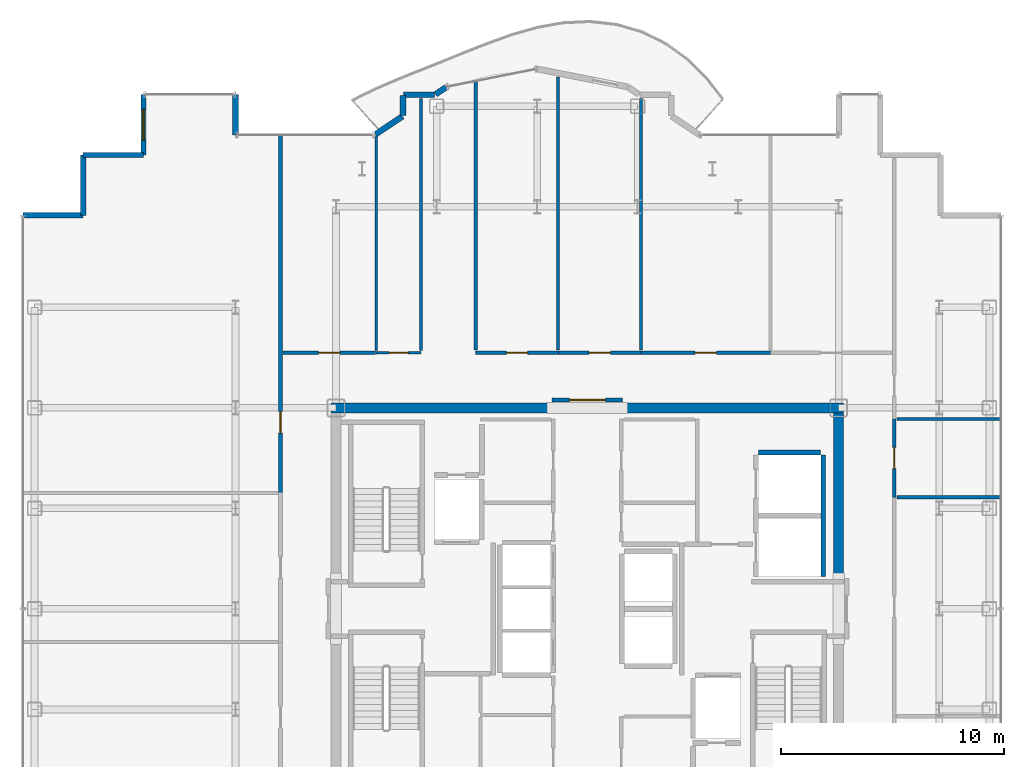
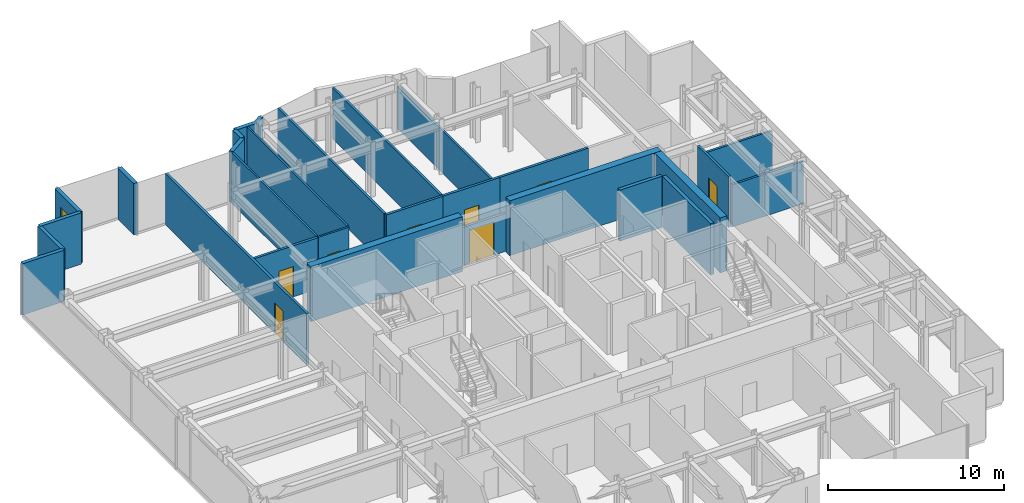
# One storey, part 16 of 18: 29 walls, 8 doors, 1 window, 9 openings.
"""IFC4 building model written with IfcOpenShell, lengths in metres."""

from ifc_helpers import new_model, si_unit, direction, frame, frame_2d, origin, place, context, subcontext, project, spatial, rectangle, extrude, source, transform, mapped, material, layer, layer_set, type_object, element, fill, save


model = new_model("IFC4")

# Units and contexts
model_context = context("Model", 3, precision=1e-05, world=origin(), true_north=direction((0.0, 1.0)))
body_context = subcontext(model_context, "Body", "Model", "MODEL_VIEW")
ifc_project = project(units=[si_unit("LENGTHUNIT", "METRE"), si_unit("AREAUNIT", "SQUARE_METRE"), si_unit("VOLUMEUNIT", "CUBIC_METRE"), si_unit("PLANEANGLEUNIT", "RADIAN"), si_unit("MASSUNIT", "GRAM", prefix="KILO")], contexts=[model_context])

# Site, building, storey
site_placement = place(None, origin())
site = spatial("IfcSite", under=ifc_project, at=site_placement, CompositionType="ELEMENT")
building_placement = place(site_placement, origin())
building = spatial("IfcBuilding", under=site, at=building_placement, Name="Nefas-Gora Pilgrimage Tower", CompositionType="ELEMENT")
storey_placement = place(building_placement, frame((0.0, 0.0, 268.39990234375)))
storey = spatial("IfcBuildingStorey", under=building, at=storey_placement, Name="L67", CompositionType="ELEMENT", Elevation=268.39990234375)

# Walls
ifc_material_1 = material(Name="Concrete C50/60", Category="concrete")
ifc_layer_1 = layer(ifc_material_1, 0.449951171875)
ifc_layer_set_1 = layer_set([ifc_layer_1], Name="Concrete C50/60")
wall_type_1 = type_object("IfcWallType", Name="SW-CORE-450", PredefinedType="SHEAR", material=ifc_layer_set_1)
shared_shape_1 = source(origin(), body_context, "Body", "SweptSolid", [
    extrude(rectangle(XDim=9.925048828125, YDim=0.449951171875, at=frame_2d((4.96240234375, 0.0))), origin(), (0.0, 0.0, 1.0), 3.800048828125),
])
for number, where, z_axis, x_axis, name in (
    (1, (-11.47509765625, 9.0, 0.0), (0.0, 0.0, 1.0), (1.0, 0.0, 0.0), "L67 Core Shear Wall N-West"),
    (2, (1.550048828125, 9.0, 0.0), (0.0, 0.0, 1.0), (1.0, 0.0, 0.0), "L67 Core Shear Wall N-East"),
):
    element("IfcWall", number, at=place(storey_placement, frame(where, z_axis=z_axis, x_axis=x_axis)), inside=storey, type_object=wall_type_1, Name=name, PredefinedType="SHEAR", context=body_context, shape_type="MappedRepresentation", body=[
        mapped(shared_shape_1, transform((0.0, 0.0, 0.0), x_axis=(1.0, 0.0, 0.0), y_axis=(0.0, 1.0, 0.0), z_axis=(0.0, 0.0, 1.0), scale=1.0)),
    ])
shared_shape_2 = source(origin(), body_context, "Body", "SweptSolid", [
    extrude(rectangle(XDim=7.4248046875, YDim=0.449951171875, at=frame_2d((3.71240234375, 0.0))), origin(), (0.0, 0.0, 1.0), 3.800048828125),
])
wall_1_placement = place(storey_placement, frame((11.25, 1.35009765625, 0.0), z_axis=(0.0, 0.0, 1.0), x_axis=(0.0, 1.0, 0.0)))
element("IfcWall", 3, at=wall_1_placement, inside=storey, type_object=wall_type_1, Name="L67 Core Shear Wall E-North", PredefinedType="SHEAR", context=body_context, shape_type="MappedRepresentation", body=[
    mapped(shared_shape_2, transform((0.0, 0.0, 0.0), x_axis=(1.0, 0.0, 0.0), y_axis=(0.0, 1.0, 0.0), z_axis=(0.0, 0.0, 1.0), scale=1.0)),
])
ifc_material_2 = material(Name="Precast concrete C40/50", Category="concrete")
ifc_layer_2 = layer(ifc_material_2, 0.260009765625)
ifc_layer_set_2 = layer_set([ifc_layer_2], Name="Precast concrete C40/50")
wall_type_2 = type_object("IfcWallType", Name="EW-PORTAL-260", PredefinedType="SOLIDWALL", material=ifc_layer_set_2)
shared_shape_3 = source(origin(), body_context, "Body", "SweptSolid", [
    extrude(rectangle(XDim=1.800048828125, YDim=0.260009765625, at=frame_2d((0.89990234375, 0.0))), origin(), (0.0, 0.0, 1.0), 3.550048828125),
])
wall_2_placement = place(storey_placement, frame((-15.75, 21.219970703125, 0.0), z_axis=(0.0, 0.0, 1.0), x_axis=(0.0, 1.0, 0.0)))
element("IfcWall", 4, at=wall_2_placement, inside=storey, type_object=wall_type_2, Name="L67 Lobe Shoulder Precast Spandrel Pier 16", PredefinedType="SOLIDWALL", context=body_context, shape_type="MappedRepresentation", body=[
    mapped(shared_shape_3, transform((0.0, 0.0, 0.0), x_axis=(1.0, 0.0, 0.0), y_axis=(0.0, 1.0, 0.0), z_axis=(0.0, 0.0, 1.0), scale=1.0)),
])

# Wall, opening, window
ifc_material_3 = material(Name="Precast concrete C45/55", Category="concrete")
ifc_layer_3 = layer(ifc_material_3, 0.239990234375)
ifc_layer_set_3 = layer_set([ifc_layer_3], Name="Precast concrete C45/55")
wall_type_3 = type_object("IfcWallType", Name="EW-SERR-240", PredefinedType="SHEAR", material=ifc_layer_set_3)
shared_shape_4 = source(origin(), body_context, "Body", "SweptSolid", [
    extrude(rectangle(XDim=2.699951171875, YDim=0.239990234375, at=frame_2d((1.35009765625, 0.0))), origin(), (0.0, 0.0, 1.0), 3.550048828125),
])
wall_3_placement = place(storey_placement, frame((-19.8701171875, 23.02001953125, 0.0), z_axis=(0.0, 0.0, 1.0), x_axis=(0.0, -1.0, 0.0)))
wall_3 = element("IfcWall", 5, at=wall_3_placement, inside=storey, type_object=wall_type_3, Name="L67 Serrated Corner Shear Pier Wall 17", PredefinedType="SHEAR", context=body_context, shape_type="MappedRepresentation", body=[
    mapped(shared_shape_4, transform((0.0, 0.0, 0.0), x_axis=(1.0, 0.0, 0.0), y_axis=(0.0, 1.0, 0.0), z_axis=(0.0, 0.0, 1.0), scale=1.0)),
])
opening_1_placement = place(wall_3_placement, frame((0.64990234375, 0.0, 0.85009765625)))
opening_1 = element("IfcOpeningElement", 6, at=opening_1_placement, cuts=wall_3, Name="Opening W-V2", PredefinedType="OPENING", context=body_context, shape_type="SweptSolid", body=[
    extrude(rectangle(XDim=1.39990234375, YDim=1.800048828125, at=frame_2d((0.699951171875, 0.89990234375))), frame((0.0, 0.1298828125, 0.0), z_axis=(0.0, -1.0, 0.0), x_axis=(1.0, 0.0, 0.0)), (0.0, 0.0, 1.0), 0.260009765625),
])
ifc_material_4 = material(Name="Dark ceramic-fritted operable aluminium-glass window", Category="aluminium")
window_type = type_object("IfcWindowType", Name="WIN-VENT-1400x1800", PartitioningType="SINGLE_PANEL", PredefinedType="WINDOW", material=ifc_material_4)
shared_shape_5 = source(origin(), body_context, "Body", "SweptSolid", [
    extrude(rectangle(XDim=1.39990234375, YDim=1.800048828125, at=frame_2d((0.699951171875, 0.89990234375))), frame((0.0, 0.030029296875, 0.0), z_axis=(0.0, -1.0, 0.0), x_axis=(1.0, 0.0, 0.0)), (0.0, 0.0, 1.0), 0.06005859375),
])
window_placement = place(opening_1_placement, origin())
window = element("IfcWindow", 7, at=window_placement, inside=storey, type_object=window_type, Name="L67 Operable Parallel-Outswing Window 17", OverallHeight=1.800048828125, OverallWidth=1.39990234375, PartitioningType="SINGLE_PANEL", PredefinedType="WINDOW", context=body_context, shape_type="MappedRepresentation", body=[
    mapped(shared_shape_5, transform((0.0, 0.0, 0.0), x_axis=(1.0, 0.0, 0.0), y_axis=(0.0, 1.0, 0.0), z_axis=(0.0, 0.0, 1.0), scale=1.0)),
])
fill(opening_1, window)

# Walls
for number, where, z_axis, x_axis, name in (
    (8, (-19.8701171875, 20.320068359375, 0.0), (0.0, 0.0, 1.0), (-1.0, 0.0, 0.0), "L67 Serrated Corner Shear Pier Wall 18"),
    (9, (-22.570068359375, 20.320068359375, 0.0), (0.0, 0.0, 1.0), (0.0, -1.0, 0.0), "L67 Serrated Corner Shear Pier Wall 19"),
    (10, (-22.570068359375, 17.6201171875, 0.0), (0.0, 0.0, 1.0), (-1.0, 0.0, 0.0), "L67 Serrated Corner Shear Pier Wall 20"),
):
    element("IfcWall", number, at=place(storey_placement, frame(where, z_axis=z_axis, x_axis=x_axis)), inside=storey, type_object=wall_type_3, Name=name, PredefinedType="SHEAR", context=body_context, shape_type="MappedRepresentation", body=[
        mapped(shared_shape_4, transform((0.0, 0.0, 0.0), x_axis=(1.0, 0.0, 0.0), y_axis=(0.0, 1.0, 0.0), z_axis=(0.0, 0.0, 1.0), scale=1.0)),
    ])
shared_shape_6 = source(origin(), body_context, "Body", "SweptSolid", [
    extrude(rectangle(XDim=1.468994140625, YDim=0.260009765625, at=frame_2d((0.734375, 0.0))), origin(), (0.0, 0.0, 1.0), 3.550048828125),
])
wall_4_placement = place(storey_placement, frame((-8.273193359375, 22.0517578125, 0.0), z_axis=(0.0, 0.0, 1.0), x_axis=(-0.831461760506, -0.555581983884, 0.0)))
element("IfcWall", 11, at=wall_4_placement, inside=storey, type_object=wall_type_2, Name="L67 Lobe Shoulder Precast Spandrel Pier 15", PredefinedType="SOLIDWALL", context=body_context, shape_type="MappedRepresentation", body=[
    mapped(shared_shape_6, transform((0.0, 0.0, 0.0), x_axis=(1.0, 0.0, 0.0), y_axis=(0.0, 1.0, 0.0), z_axis=(0.0, 0.0, 1.0), scale=1.0)),
])
shared_shape_7 = source(origin(), body_context, "Body", "SweptSolid", [
    extrude(rectangle(XDim=0.896728515625, YDim=0.260009765625, at=frame_2d((0.4482421875, 0.0))), origin(), (0.0, 0.0, 1.0), 3.550048828125),
])
wall_5_placement = place(storey_placement, frame((-8.25, 22.991943359375, 0.0), z_axis=(0.0, 0.0, 1.0), x_axis=(0.0, -1.0, 0.0)))
element("IfcWall", 12, at=wall_5_placement, inside=storey, type_object=wall_type_2, Name="L67 Lobe Shoulder Precast Spandrel Pier 14", PredefinedType="SOLIDWALL", context=body_context, shape_type="MappedRepresentation", body=[
    mapped(shared_shape_7, transform((0.0, 0.0, 0.0), x_axis=(1.0, 0.0, 0.0), y_axis=(0.0, 1.0, 0.0), z_axis=(0.0, 0.0, 1.0), scale=1.0)),
])
shared_shape_8 = source(origin(), body_context, "Body", "SweptSolid", [
    extrude(rectangle(XDim=1.369873046875, YDim=0.260009765625, at=frame_2d((0.68505859375, 0.0))), origin(), (0.0, 0.0, 1.0), 3.550048828125),
])
wall_6_placement = place(storey_placement, frame((-6.85205078125, 23.02001953125, 0.0), z_axis=(0.0, 0.0, 1.0), x_axis=(-1.0, 0.0, 0.0)))
element("IfcWall", 13, at=wall_6_placement, inside=storey, type_object=wall_type_2, Name="L67 Lobe Shoulder Precast Spandrel Pier 13", PredefinedType="SOLIDWALL", context=body_context, shape_type="MappedRepresentation", body=[
    mapped(shared_shape_8, transform((0.0, 0.0, 0.0), x_axis=(1.0, 0.0, 0.0), y_axis=(0.0, 1.0, 0.0), z_axis=(0.0, 0.0, 1.0), scale=1.0)),
])
shared_shape_9 = source(origin(), body_context, "Body", "SweptSolid", [
    extrude(rectangle(XDim=0.5654296875, YDim=0.260009765625, at=frame_2d((0.28271484375, 0.0))), origin(), (0.0, 0.0, 1.0), 3.550048828125),
])
wall_7_placement = place(storey_placement, frame((-6.33056640625, 23.349609375, 0.0), z_axis=(0.0, 0.0, 1.0), x_axis=(-0.831651492666, -0.555297933317, 0.0)))
element("IfcWall", 14, at=wall_7_placement, inside=storey, type_object=wall_type_2, Name="L67 Lobe Shoulder Precast Spandrel Pier 12", PredefinedType="SOLIDWALL", context=body_context, shape_type="MappedRepresentation", body=[
    mapped(shared_shape_9, transform((0.0, 0.0, 0.0), x_axis=(1.0, 0.0, 0.0), y_axis=(0.0, 1.0, 0.0), z_axis=(0.0, 0.0, 1.0), scale=1.0)),
])
ifc_material_5 = material(Name="Concrete C40/50", Category="concrete")
ifc_layer_4 = layer(ifc_material_5, 0.219970703125)
ifc_layer_set_4 = layer_set([ifc_layer_4], Name="Concrete C40/50")
wall_type_4 = type_object("IfcWallType", Name="IW-SHAFT-220", PredefinedType="SOLIDWALL", material=ifc_layer_set_4)
shared_shape_10 = source(origin(), body_context, "Body", "SweptSolid", [
    extrude(rectangle(XDim=5.449951171875, YDim=0.219970703125, at=frame_2d((2.72509765625, 0.0))), origin(), (0.0, 0.0, 1.0), 3.53515625),
])
wall_8_placement = place(storey_placement, frame((10.56005859375, 1.449951171875, 0.0), z_axis=(0.0, 0.0, 1.0), x_axis=(0.0, 1.0, 0.0)))
element("IfcWall", 15, at=wall_8_placement, inside=storey, type_object=wall_type_4, Name="L67 Hoistway Wall SL-01-02-E", PredefinedType="SOLIDWALL", context=body_context, shape_type="MappedRepresentation", body=[
    mapped(shared_shape_10, transform((0.0, 0.0, 0.0), x_axis=(1.0, 0.0, 0.0), y_axis=(0.0, 1.0, 0.0), z_axis=(0.0, 0.0, 1.0), scale=1.0)),
])
shared_shape_11 = source(origin(), body_context, "Body", "SweptSolid", [
    extrude(rectangle(XDim=2.780029296875, YDim=0.219970703125, at=frame_2d((1.39013671875, 0.0))), origin(), (0.0, 0.0, 1.0), 3.53515625),
])
wall_9_placement = place(storey_placement, frame((10.43994140625, 7.010009765625, 0.0), z_axis=(0.0, 0.0, 1.0), x_axis=(-1.0, 0.0, 0.0)))
element("IfcWall", 16, at=wall_9_placement, inside=storey, type_object=wall_type_4, Name="L67 Hoistway Wall SL-02-N", PredefinedType="SOLIDWALL", context=body_context, shape_type="MappedRepresentation", body=[
    mapped(shared_shape_11, transform((0.0, 0.0, 0.0), x_axis=(1.0, 0.0, 0.0), y_axis=(0.0, 1.0, 0.0), z_axis=(0.0, 0.0, 1.0), scale=1.0)),
])

# Wall, opening, door
ifc_material_6 = material(Name="Moisture-resistant fire-rated gypsum partition")
ifc_layer_5 = layer(ifc_material_6, 0.1201171875)
ifc_layer_set_5 = layer_set([ifc_layer_5], Name="Moisture-resistant fire-rated gypsum partition")
wall_type_5 = type_object("IfcWallType", Name="IW-WET-120", PredefinedType="PLUMBINGWALL", material=ifc_layer_set_5)
shared_shape_12 = source(origin(), body_context, "Body", "SweptSolid", [
    extrude(rectangle(XDim=2.02001953125, YDim=0.1201171875, at=frame_2d((1.010009765625, 0.0))), origin(), (0.0, 0.0, 1.0), 3.53515625),
])
wall_10_placement = place(storey_placement, frame((-9.4599609375, 11.469970703125, 0.0), z_axis=(0.0, 0.0, 1.0), x_axis=(1.0, 0.0, 0.0)))
wall_10 = element("IfcWall", 17, at=wall_10_placement, inside=storey, type_object=wall_type_5, Name="L67 Accessible Unisex WC Partition Wall 36", PredefinedType="PLUMBINGWALL", context=body_context, shape_type="MappedRepresentation", body=[
    mapped(shared_shape_12, transform((0.0, 0.0, 0.0), x_axis=(1.0, 0.0, 0.0), y_axis=(0.0, 1.0, 0.0), z_axis=(0.0, 0.0, 1.0), scale=1.0)),
])
opening_2_placement = place(wall_10_placement, frame((0.5849609375, 0.0, 0.0)))
opening_2 = element("IfcOpeningElement", 18, at=opening_2_placement, cuts=wall_10, Name="Opening ID-BT1", PredefinedType="OPENING", context=body_context, shape_type="SweptSolid", body=[
    extrude(rectangle(XDim=0.85009765625, YDim=2.10009765625, at=frame_2d((0.425048828125, 1.050048828125))), frame((0.0, 0.070068359375, 0.0), z_axis=(0.0, -1.0, 0.0), x_axis=(1.0, 0.0, 0.0)), (0.0, 0.0, 1.0), 0.14013671875),
])
ifc_material_7 = material(Name="Moisture-resistant fire-rated timber door", Category="wood")
door_type_1 = type_object("IfcDoorType", Name="DR-INT-BATH-850", OperationType="NOTDEFINED", PredefinedType="DOOR", material=ifc_material_7)
shared_shape_13 = source(origin(), body_context, "Body", "SweptSolid", [
    extrude(rectangle(XDim=0.85009765625, YDim=2.10009765625, at=frame_2d((0.425048828125, 1.050048828125))), frame((0.0, 0.02490234375, 0.0), z_axis=(0.0, -1.0, 0.0), x_axis=(1.0, 0.0, 0.0)), (0.0, 0.0, 1.0), 0.050048828125),
])
door_1_placement = place(opening_2_placement, origin())
door_1 = element("IfcDoor", 19, at=door_1_placement, inside=storey, type_object=door_type_1, Name="L67 Accessible Unisex WC Door 15", OperationType="SINGLE_SWING_LEFT", OverallHeight=2.10009765625, OverallWidth=0.85009765625, PredefinedType="DOOR", context=body_context, shape_type="MappedRepresentation", body=[
    mapped(shared_shape_13, transform((0.0, 0.0, 0.0), x_axis=(1.0, 0.0, 0.0), y_axis=(0.0, 1.0, 0.0), z_axis=(0.0, 0.0, 1.0), scale=1.0)),
])
fill(opening_2, door_1)

# Walls
shared_shape_14 = source(origin(), body_context, "Body", "SweptSolid", [
    extrude(rectangle(XDim=11.280029296875, YDim=0.1201171875, at=frame_2d((5.64013671875, 0.0))), origin(), (0.0, 0.0, 1.0), 3.53515625),
])
wall_11_placement = place(storey_placement, frame((-7.449951171875, 11.570068359375, 0.0), z_axis=(0.0, 0.0, 1.0), x_axis=(0.0, 1.0, 0.0)))
element("IfcWall", 20, at=wall_11_placement, inside=storey, type_object=wall_type_5, Name="L67 Accessible Unisex WC Partition Wall 37", PredefinedType="PLUMBINGWALL", context=body_context, shape_type="MappedRepresentation", body=[
    mapped(shared_shape_14, transform((0.0, 0.0, 0.0), x_axis=(1.0, 0.0, 0.0), y_axis=(0.0, 1.0, 0.0), z_axis=(0.0, 0.0, 1.0), scale=1.0)),
])
shared_shape_15 = source(origin(), body_context, "Body", "SweptSolid", [
    extrude(rectangle(XDim=9.586669921875, YDim=0.1201171875, at=frame_2d((4.79345703125, 0.0))), origin(), (0.0, 0.0, 1.0), 3.53515625),
])
wall_12_placement = place(storey_placement, frame((-9.449951171875, 11.570068359375, 0.0), z_axis=(0.0, 0.0, 1.0), x_axis=(0.0, 1.0, 0.0)))
element("IfcWall", 21, at=wall_12_placement, inside=storey, type_object=wall_type_5, Name="L67 Accessible Unisex WC Partition Wall 38", PredefinedType="PLUMBINGWALL", context=body_context, shape_type="MappedRepresentation", body=[
    mapped(shared_shape_15, transform((0.0, 0.0, 0.0), x_axis=(1.0, 0.0, 0.0), y_axis=(0.0, 1.0, 0.0), z_axis=(0.0, 0.0, 1.0), scale=1.0)),
])

# Wall, opening, door
ifc_material_8 = material(Name="Gypsum acoustic stud partition")
ifc_layer_6 = layer(ifc_material_8, 0.159912109375)
ifc_layer_set_6 = layer_set([ifc_layer_6], Name="Gypsum acoustic stud partition")
wall_type_6 = type_object("IfcWallType", Name="IW-CORR-160", PredefinedType="PARTITIONING", material=ifc_layer_set_6)
shared_shape_16 = source(origin(), body_context, "Body", "SweptSolid", [
    extrude(rectangle(XDim=4.125, YDim=0.159912109375, at=frame_2d((2.0625, 0.0))), origin(), (0.0, 0.0, 1.0), 3.53515625),
])
wall_13_placement = place(storey_placement, frame((-13.6201171875, 11.469970703125, 0.0), z_axis=(0.0, 0.0, 1.0), x_axis=(1.0, 0.0, 0.0)))
wall_13 = element("IfcWall", 22, at=wall_13_placement, inside=storey, type_object=wall_type_6, Name="L67 Pilgrim Contemplative Lounge Partition Wall 55", PredefinedType="PARTITIONING", context=body_context, shape_type="MappedRepresentation", body=[
    mapped(shared_shape_16, transform((0.0, 0.0, 0.0), x_axis=(1.0, 0.0, 0.0), y_axis=(0.0, 1.0, 0.0), z_axis=(0.0, 0.0, 1.0), scale=1.0)),
])
opening_3_placement = place(wall_13_placement, frame((1.58740234375, 0.0, 0.0)))
opening_3 = element("IfcOpeningElement", 23, at=opening_3_placement, cuts=wall_13, Name="Opening ID-GR1", PredefinedType="OPENING", context=body_context, shape_type="SweptSolid", body=[
    extrude(rectangle(XDim=0.949951171875, YDim=2.10009765625, at=frame_2d((0.47509765625, 1.050048828125))), frame((0.0, 0.08984375, 0.0), z_axis=(0.0, -1.0, 0.0), x_axis=(1.0, 0.0, 0.0)), (0.0, 0.0, 1.0), 0.179931640625),
])
ifc_material_9 = material(Name="Solid core oak fire-rated guest entrance door")
door_type_2 = type_object("IfcDoorType", Name="DR-INT-GUEST-950", OperationType="NOTDEFINED", PredefinedType="DOOR", material=ifc_material_9)
shared_shape_17 = source(origin(), body_context, "Body", "SweptSolid", [
    extrude(rectangle(XDim=0.949951171875, YDim=2.10009765625, at=frame_2d((0.47509765625, 1.050048828125))), frame((0.0, 0.02490234375, 0.0), z_axis=(0.0, -1.0, 0.0), x_axis=(1.0, 0.0, 0.0)), (0.0, 0.0, 1.0), 0.050048828125),
])
door_2_placement = place(opening_3_placement, origin())
door_2 = element("IfcDoor", 24, at=door_2_placement, inside=storey, type_object=door_type_2, Name="L67 Pilgrim Contemplative Lounge Door 25", OperationType="SINGLE_SWING_LEFT", OverallHeight=2.10009765625, OverallWidth=0.949951171875, PredefinedType="DOOR", context=body_context, shape_type="MappedRepresentation", body=[
    mapped(shared_shape_17, transform((0.0, 0.0, 0.0), x_axis=(1.0, 0.0, 0.0), y_axis=(0.0, 1.0, 0.0), z_axis=(0.0, 0.0, 1.0), scale=1.0)),
])
fill(opening_3, door_2)

shared_shape_18 = source(origin(), body_context, "Body", "SweptSolid", [
    extrude(rectangle(XDim=3.704833984375, YDim=0.159912109375, at=frame_2d((1.8525390625, 0.0))), origin(), (0.0, 0.0, 1.0), 3.53515625),
])
wall_14_placement = place(storey_placement, frame((-5.0048828125, 11.469970703125, 0.0), z_axis=(0.0, 0.0, 1.0), x_axis=(1.0, 0.0, 0.0)))
wall_14 = element("IfcWall", 25, at=wall_14_placement, inside=storey, type_object=wall_type_6, Name="L67 Pilgrim Contemplative Lounge Partition Wall 56", PredefinedType="PARTITIONING", context=body_context, shape_type="MappedRepresentation", body=[
    mapped(shared_shape_18, transform((0.0, 0.0, 0.0), x_axis=(1.0, 0.0, 0.0), y_axis=(0.0, 1.0, 0.0), z_axis=(0.0, 0.0, 1.0), scale=1.0)),
])
opening_4_placement = place(wall_14_placement, frame((1.37744140625, 0.0, 0.0)))
opening_4 = element("IfcOpeningElement", 26, at=opening_4_placement, cuts=wall_14, Name="Opening ID-GR1", PredefinedType="OPENING", context=body_context, shape_type="SweptSolid", body=[
    extrude(rectangle(XDim=0.949951171875, YDim=2.10009765625, at=frame_2d((0.47509765625, 1.050048828125))), frame((0.0, 0.08984375, 0.0), z_axis=(0.0, -1.0, 0.0), x_axis=(1.0, 0.0, 0.0)), (0.0, 0.0, 1.0), 0.179931640625),
])
door_3_placement = place(opening_4_placement, origin())
door_3 = element("IfcDoor", 27, at=door_3_placement, inside=storey, type_object=door_type_2, Name="L67 Pilgrim Contemplative Lounge Door 26", OperationType="SINGLE_SWING_RIGHT", OverallHeight=2.10009765625, OverallWidth=0.949951171875, PredefinedType="DOOR", context=body_context, shape_type="MappedRepresentation", body=[
    mapped(shared_shape_17, transform((0.0, 0.0, 0.0), x_axis=(1.0, 0.0, 0.0), y_axis=(0.0, 1.0, 0.0), z_axis=(0.0, 0.0, 1.0), scale=1.0)),
])
fill(opening_4, door_3)

shared_shape_19 = source(origin(), body_context, "Body", "SweptSolid", [
    extrude(rectangle(XDim=3.705078125, YDim=0.159912109375, at=frame_2d((1.8525390625, 0.0))), origin(), (0.0, 0.0, 1.0), 3.53515625),
])
wall_15_placement = place(storey_placement, frame((-1.300048828125, 11.469970703125, 0.0), z_axis=(0.0, 0.0, 1.0), x_axis=(1.0, 0.0, 0.0)))
wall_15 = element("IfcWall", 28, at=wall_15_placement, inside=storey, type_object=wall_type_6, Name="L67 Pilgrim Contemplative Lounge Partition Wall 59", PredefinedType="PARTITIONING", context=body_context, shape_type="MappedRepresentation", body=[
    mapped(shared_shape_19, transform((0.0, 0.0, 0.0), x_axis=(1.0, 0.0, 0.0), y_axis=(0.0, 1.0, 0.0), z_axis=(0.0, 0.0, 1.0), scale=1.0)),
])
opening_5_placement = place(wall_15_placement, frame((1.37744140625, 0.0, 0.0)))
opening_5 = element("IfcOpeningElement", 29, at=opening_5_placement, cuts=wall_15, Name="Opening ID-GR1", PredefinedType="OPENING", context=body_context, shape_type="SweptSolid", body=[
    extrude(rectangle(XDim=0.949951171875, YDim=2.10009765625, at=frame_2d((0.47509765625, 1.050048828125))), frame((0.0, 0.08984375, 0.0), z_axis=(0.0, -1.0, 0.0), x_axis=(1.0, 0.0, 0.0)), (0.0, 0.0, 1.0), 0.179931640625),
])
door_4_placement = place(opening_5_placement, origin())
door_4 = element("IfcDoor", 30, at=door_4_placement, inside=storey, type_object=door_type_2, Name="L67 Pilgrim Contemplative Lounge Door 27", OperationType="SINGLE_SWING_LEFT", OverallHeight=2.10009765625, OverallWidth=0.949951171875, PredefinedType="DOOR", context=body_context, shape_type="MappedRepresentation", body=[
    mapped(shared_shape_17, transform((0.0, 0.0, 0.0), x_axis=(1.0, 0.0, 0.0), y_axis=(0.0, 1.0, 0.0), z_axis=(0.0, 0.0, 1.0), scale=1.0)),
])
fill(opening_5, door_4)

# Wall
ifc_material_10 = material(Name="Gypsum twin-stud partition")
ifc_layer_7 = layer(ifc_material_10, 0.139892578125)
ifc_layer_set_7 = layer_set([ifc_layer_7], Name="Gypsum twin-stud partition")
wall_type_7 = type_object("IfcWallType", Name="IW-UNIT-140", PredefinedType="PARTITIONING", material=ifc_layer_set_7)
shared_shape_20 = source(origin(), body_context, "Body", "SweptSolid", [
    extrude(rectangle(XDim=12.056640625, YDim=0.139892578125, at=frame_2d((6.0283203125, 0.0))), origin(), (0.0, 0.0, 1.0), 3.53515625),
])
wall_16_placement = place(storey_placement, frame((-4.9951171875, 11.590087890625, 0.0), z_axis=(0.0, 0.0, 1.0), x_axis=(0.0, 1.0, 0.0)))
element("IfcWall", 31, at=wall_16_placement, inside=storey, type_object=wall_type_7, Name="L67 Pilgrim Contemplative Lounge Partition Wall 58", PredefinedType="PARTITIONING", context=body_context, shape_type="MappedRepresentation", body=[
    mapped(shared_shape_20, transform((0.0, 0.0, 0.0), x_axis=(1.0, 0.0, 0.0), y_axis=(0.0, 1.0, 0.0), z_axis=(0.0, 0.0, 1.0), scale=1.0)),
])

# Wall, opening, door
shared_shape_21 = source(origin(), body_context, "Body", "SweptSolid", [
    extrude(rectangle(XDim=16.044921875, YDim=0.159912109375, at=frame_2d((8.0224609375, 0.0))), origin(), (0.0, 0.0, 1.0), 3.53515625),
])
wall_17_placement = place(storey_placement, frame((-13.739990234375, 5.195068359375, 0.0), z_axis=(0.0, 0.0, 1.0), x_axis=(0.0, 1.0, 0.0)))
wall_17 = element("IfcWall", 32, at=wall_17_placement, inside=storey, type_object=wall_type_6, Name="L67 Pilgrim Contemplative Lounge Partition Wall 45", PredefinedType="PARTITIONING", context=body_context, shape_type="MappedRepresentation", body=[
    mapped(shared_shape_21, transform((0.0, 0.0, 0.0), x_axis=(1.0, 0.0, 0.0), y_axis=(0.0, 1.0, 0.0), z_axis=(0.0, 0.0, 1.0), scale=1.0)),
])
opening_6_placement = place(wall_17_placement, frame((2.6826171875, 0.0, 0.0)))
opening_6 = element("IfcOpeningElement", 33, at=opening_6_placement, cuts=wall_17, Name="Opening ID-GR1", PredefinedType="OPENING", context=body_context, shape_type="SweptSolid", body=[
    extrude(rectangle(XDim=0.949951171875, YDim=2.10009765625, at=frame_2d((0.47509765625, 1.050048828125))), frame((0.0, 0.08984375, 0.0), z_axis=(0.0, -1.0, 0.0), x_axis=(1.0, 0.0, 0.0)), (0.0, 0.0, 1.0), 0.179931640625),
])
door_5_placement = place(opening_6_placement, origin())
door_5 = element("IfcDoor", 34, at=door_5_placement, inside=storey, type_object=door_type_2, Name="L67 Pilgrim Contemplative Lounge Door 19", OperationType="SINGLE_SWING_LEFT", OverallHeight=2.10009765625, OverallWidth=0.949951171875, PredefinedType="DOOR", context=body_context, shape_type="MappedRepresentation", body=[
    mapped(shared_shape_17, transform((0.0, 0.0, 0.0), x_axis=(1.0, 0.0, 0.0), y_axis=(0.0, 1.0, 0.0), z_axis=(0.0, 0.0, 1.0), scale=1.0)),
])
fill(opening_6, door_5)

shared_shape_22 = source(origin(), body_context, "Body", "SweptSolid", [
    extrude(rectangle(XDim=3.509765625, YDim=0.159912109375, at=frame_2d((1.7548828125, 0.0))), origin(), (0.0, 0.0, 1.0), 3.53515625),
])
wall_18_placement = place(storey_placement, frame((13.739990234375, 4.9951171875, 0.0), z_axis=(0.0, 0.0, 1.0), x_axis=(0.0, 1.0, 0.0)))
wall_18 = element("IfcWall", 35, at=wall_18_placement, inside=storey, type_object=wall_type_6, Name="L67 Scripture Reading Study Partition Wall 52", PredefinedType="PARTITIONING", context=body_context, shape_type="MappedRepresentation", body=[
    mapped(shared_shape_22, transform((0.0, 0.0, 0.0), x_axis=(1.0, 0.0, 0.0), y_axis=(0.0, 1.0, 0.0), z_axis=(0.0, 0.0, 1.0), scale=1.0)),
])
opening_7_placement = place(wall_18_placement, frame((1.280029296875, 0.0, 0.0)))
opening_7 = element("IfcOpeningElement", 36, at=opening_7_placement, cuts=wall_18, Name="Opening ID-GR1", PredefinedType="OPENING", context=body_context, shape_type="SweptSolid", body=[
    extrude(rectangle(XDim=0.949951171875, YDim=2.10009765625, at=frame_2d((0.47509765625, 1.050048828125))), frame((0.0, 0.08984375, 0.0), z_axis=(0.0, -1.0, 0.0), x_axis=(1.0, 0.0, 0.0)), (0.0, 0.0, 1.0), 0.179931640625),
])
door_6_placement = place(opening_7_placement, origin())
door_6 = element("IfcDoor", 37, at=door_6_placement, inside=storey, type_object=door_type_2, Name="L67 Scripture Reading Study Door 23", OperationType="SINGLE_SWING_LEFT", OverallHeight=2.10009765625, OverallWidth=0.949951171875, PredefinedType="DOOR", context=body_context, shape_type="MappedRepresentation", body=[
    mapped(shared_shape_17, transform((0.0, 0.0, 0.0), x_axis=(1.0, 0.0, 0.0), y_axis=(0.0, 1.0, 0.0), z_axis=(0.0, 0.0, 1.0), scale=1.0)),
])
fill(opening_7, door_6)

shared_shape_23 = source(origin(), body_context, "Body", "SweptSolid", [
    extrude(rectangle(XDim=5.81005859375, YDim=0.159912109375, at=frame_2d((2.905029296875, 0.0))), origin(), (0.0, 0.0, 1.0), 3.53515625),
])
wall_19_placement = place(storey_placement, frame((2.39501953125, 11.469970703125, 0.0), z_axis=(0.0, 0.0, 1.0), x_axis=(1.0, 0.0, 0.0)))
wall_19 = element("IfcWall", 38, at=wall_19_placement, inside=storey, type_object=wall_type_6, Name="L67 Pilgrim Contemplative Lounge Partition Wall 61", PredefinedType="PARTITIONING", context=body_context, shape_type="MappedRepresentation", body=[
    mapped(shared_shape_23, transform((0.0, 0.0, 0.0), x_axis=(1.0, 0.0, 0.0), y_axis=(0.0, 1.0, 0.0), z_axis=(0.0, 0.0, 1.0), scale=1.0)),
])
opening_8_placement = place(wall_19_placement, frame((2.429931640625, 0.0, 0.0)))
opening_8 = element("IfcOpeningElement", 39, at=opening_8_placement, cuts=wall_19, Name="Opening ID-GR1", PredefinedType="OPENING", context=body_context, shape_type="SweptSolid", body=[
    extrude(rectangle(XDim=0.949951171875, YDim=2.10009765625, at=frame_2d((0.47509765625, 1.050048828125))), frame((0.0, 0.08984375, 0.0), z_axis=(0.0, -1.0, 0.0), x_axis=(1.0, 0.0, 0.0)), (0.0, 0.0, 1.0), 0.179931640625),
])
door_7_placement = place(opening_8_placement, origin())
door_7 = element("IfcDoor", 40, at=door_7_placement, inside=storey, type_object=door_type_2, Name="L67 Pilgrim Contemplative Lounge Door 28", OperationType="SINGLE_SWING_RIGHT", OverallHeight=2.10009765625, OverallWidth=0.949951171875, PredefinedType="DOOR", context=body_context, shape_type="MappedRepresentation", body=[
    mapped(shared_shape_17, transform((0.0, 0.0, 0.0), x_axis=(1.0, 0.0, 0.0), y_axis=(0.0, 1.0, 0.0), z_axis=(0.0, 0.0, 1.0), scale=1.0)),
])
fill(opening_8, door_7)

shared_shape_24 = source(origin(), body_context, "Body", "SweptSolid", [
    extrude(rectangle(XDim=3.16015625, YDim=0.159912109375, at=frame_2d((1.580078125, 0.0))), origin(), (0.0, 0.0, 1.0), 2.625),
])
wall_20_placement = place(storey_placement, frame((-1.580078125, 9.35009765625, 0.0), z_axis=(0.0, 0.0, 1.0), x_axis=(1.0, 0.0, 0.0)))
wall_20 = element("IfcWall", 41, at=wall_20_placement, inside=storey, type_object=wall_type_6, Name="L67 Central Lift Lobby North Portal Wall 16", PredefinedType="PARTITIONING", context=body_context, shape_type="MappedRepresentation", body=[
    mapped(shared_shape_24, transform((0.0, 0.0, 0.0), x_axis=(1.0, 0.0, 0.0), y_axis=(0.0, 1.0, 0.0), z_axis=(0.0, 0.0, 1.0), scale=1.0)),
])
opening_9_placement = place(wall_20_placement, frame((0.780029296875, 0.0, 0.0)))
opening_9 = element("IfcOpeningElement", 42, at=opening_9_placement, cuts=wall_20, Name="Opening ID-HL1", PredefinedType="OPENING", context=body_context, shape_type="SweptSolid", body=[
    extrude(rectangle(XDim=1.60009765625, YDim=2.300048828125, at=frame_2d((0.800048828125, 1.14990234375))), frame((0.0, 0.08984375, 0.0), z_axis=(0.0, -1.0, 0.0), x_axis=(1.0, 0.0, 0.0)), (0.0, 0.0, 1.0), 0.179931640625),
])
ifc_material_11 = material(Name="Double acoustic timber assembly hall door", Category="wood")
door_type_3 = type_object("IfcDoorType", Name="DR-INT-HALL-1600", OperationType="DOUBLE_DOOR_SINGLE_SWING", PredefinedType="DOOR", material=ifc_material_11)
shared_shape_25 = source(origin(), body_context, "Body", "SweptSolid", [
    extrude(rectangle(XDim=1.60009765625, YDim=2.300048828125, at=frame_2d((0.800048828125, 1.14990234375))), frame((0.0, 0.02490234375, 0.0), z_axis=(0.0, -1.0, 0.0), x_axis=(1.0, 0.0, 0.0)), (0.0, 0.0, 1.0), 0.050048828125),
])
door_8_placement = place(opening_9_placement, origin())
door_8 = element("IfcDoor", 43, at=door_8_placement, inside=storey, type_object=door_type_3, Name="L67 Central Lift Lobby North Portal Door 6", OperationType="DOUBLE_DOOR_SINGLE_SWING", OverallHeight=2.300048828125, OverallWidth=1.60009765625, PredefinedType="DOOR", context=body_context, shape_type="MappedRepresentation", body=[
    mapped(shared_shape_25, transform((0.0, 0.0, 0.0), x_axis=(1.0, 0.0, 0.0), y_axis=(0.0, 1.0, 0.0), z_axis=(0.0, 0.0, 1.0), scale=1.0)),
])
fill(opening_9, door_8)

# Walls
shared_shape_26 = source(origin(), body_context, "Body", "SweptSolid", [
    extrude(rectangle(XDim=4.679931640625, YDim=0.139892578125, at=frame_2d((2.33984375, 0.0))), origin(), (0.0, 0.0, 1.0), 2.925048828125),
])
for number, where, z_axis, x_axis, name in (
    (44, (13.860107421875, 4.9951171875, 0.0), (0.0, 0.0, 1.0), (1.0, 0.0, 0.0), "L67 Pilgrim Contemplative Lounge Partition Wall 51"),
    (45, (13.860107421875, 8.4951171875, 0.0), (0.0, 0.0, 1.0), (1.0, 0.0, 0.0), "L67 Scripture Reading Study Partition Wall 53"),
):
    element("IfcWall", number, at=place(storey_placement, frame(where, z_axis=z_axis, x_axis=x_axis)), inside=storey, type_object=wall_type_7, Name=name, PredefinedType="PARTITIONING", context=body_context, shape_type="MappedRepresentation", body=[
        mapped(shared_shape_26, transform((0.0, 0.0, 0.0), x_axis=(1.0, 0.0, 0.0), y_axis=(0.0, 1.0, 0.0), z_axis=(0.0, 0.0, 1.0), scale=1.0)),
    ])
shared_shape_27 = source(origin(), body_context, "Body", "SweptSolid", [
    extrude(rectangle(XDim=12.22216796875, YDim=0.139892578125, at=frame_2d((6.111083984375, 0.0))), origin(), (0.0, 0.0, 1.0), 3.53515625),
])
wall_21_placement = place(storey_placement, frame((-1.31005859375, 11.590087890625, 0.0), z_axis=(0.0, 0.0, 1.0), x_axis=(0.0, 1.0, 0.0)))
element("IfcWall", 46, at=wall_21_placement, inside=storey, type_object=wall_type_7, Name="L67 Pilgrim Contemplative Lounge Partition Wall 57", PredefinedType="PARTITIONING", context=body_context, shape_type="MappedRepresentation", body=[
    mapped(shared_shape_27, transform((0.0, 0.0, 0.0), x_axis=(1.0, 0.0, 0.0), y_axis=(0.0, 1.0, 0.0), z_axis=(0.0, 0.0, 1.0), scale=1.0)),
])
shared_shape_28 = source(origin(), body_context, "Body", "SweptSolid", [
    extrude(rectangle(XDim=11.260009765625, YDim=0.139892578125, at=frame_2d((5.6298828125, 0.0))), origin(), (0.0, 0.0, 1.0), 2.925048828125),
])
wall_22_placement = place(storey_placement, frame((2.39501953125, 11.590087890625, 0.0), z_axis=(0.0, 0.0, 1.0), x_axis=(0.0, 1.0, 0.0)))
element("IfcWall", 47, at=wall_22_placement, inside=storey, type_object=wall_type_7, Name="L67 Pilgrim Contemplative Lounge Partition Wall 60", PredefinedType="PARTITIONING", context=body_context, shape_type="MappedRepresentation", body=[
    mapped(shared_shape_28, transform((0.0, 0.0, 0.0), x_axis=(1.0, 0.0, 0.0), y_axis=(0.0, 1.0, 0.0), z_axis=(0.0, 0.0, 1.0), scale=1.0)),
])

save(model, "model.ifc")
